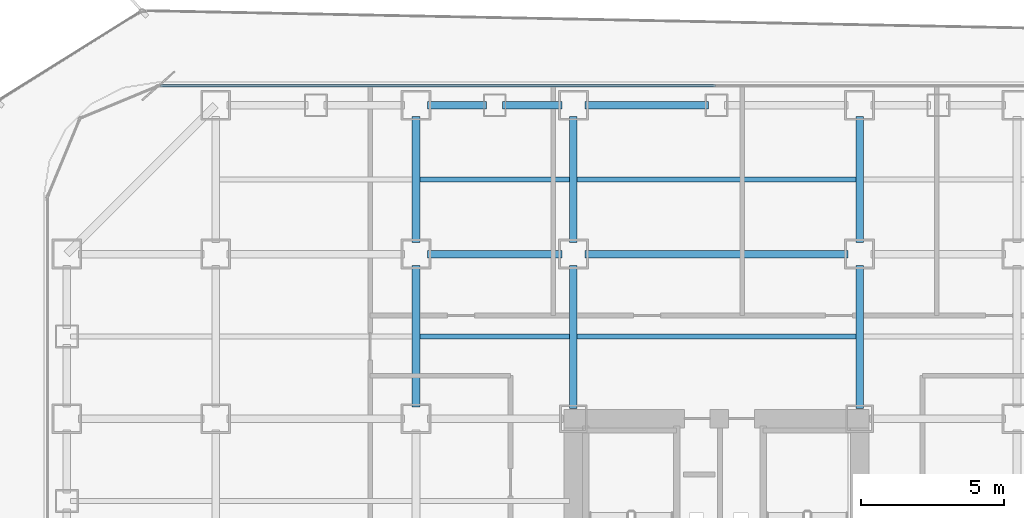
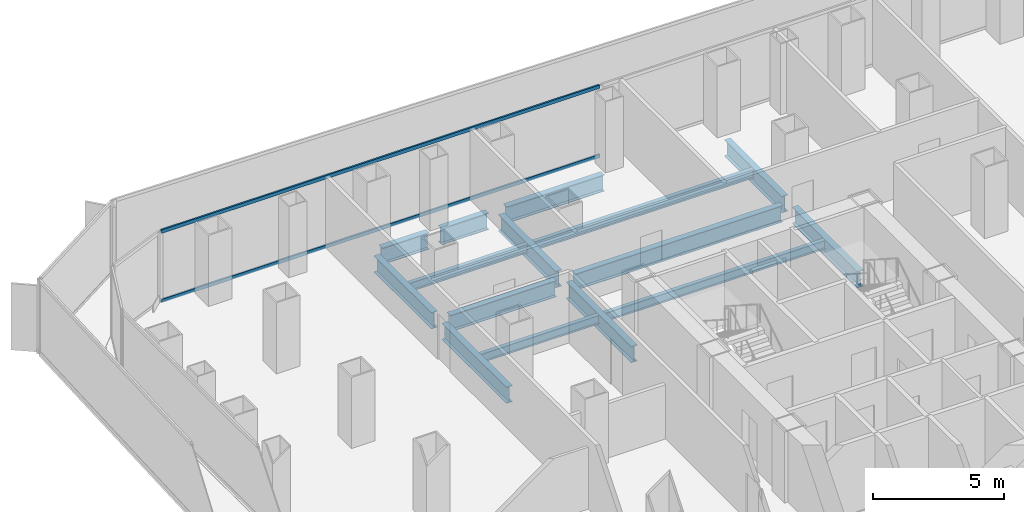
# One storey, part 12 of 21: 15 beams, 2 members, 1 element without a shape of its own.
"""IFC4 building model written with IfcOpenShell, lengths in metres."""

import ifcopenshell
import ifcopenshell.guid

model = None  # the IFC model being written
_history = None  # IfcOwnerHistory: only IFC2X3 demands one
_inside = {}  # id of a spatial element -> (the spatial element, [elements in it])
_under = {}  # id of a project, library or spatial element -> (it, [spatial elements below it])
_declared = {}  # id of a project -> (the project, [libraries it declares])
_typed = {}  # id of a type object -> (the type object, [elements of that type])
_made_of = {}  # id of a material, layer set ... -> (it, [elements and type objects made of it])


def new_model(schema):
    """Start an empty IFC model of exactly this schema.

    Asked for "IFC4X3", IfcOpenShell would pick the latest addendum, in which some entities
    have other attributes; the version numbers below select the first issue.
    IFC2X3 requires an IfcOwnerHistory on every rooted entity: one is made here for all.
    """
    global model, _history
    if schema == "IFC4X3":
        model = ifcopenshell.file(schema_version=(4, 3, 0, 0))
    else:
        model = ifcopenshell.file(schema=schema)
    _inside.clear()
    _under.clear()
    _declared.clear()
    _typed.clear()
    _made_of.clear()
    _history = None
    if model.schema == "IFC2X3":
        org = make("IfcOrganization", Name="unknown")
        user = make(
            "IfcPersonAndOrganization",
            ThePerson=make("IfcPerson", FamilyName="unknown"),
            TheOrganization=org,
        )
        app = make(
            "IfcApplication",
            ApplicationDeveloper=org,
            Version="unknown",
            ApplicationFullName="unknown",
            ApplicationIdentifier="unknown",
        )
        _history = make(
            "IfcOwnerHistory",
            OwningUser=user,
            OwningApplication=app,
            ChangeAction="ADDED",
            CreationDate=0,
        )
    return model


def make(cls, **values):
    """One entity of the class cls with the attributes given. An attribute that is None is left unset."""
    return model.create_entity(
        cls, **{name: value for name, value in values.items() if value is not None}
    )


def rooted(cls, **values):
    """An entity with a GlobalId (a new one), such as an element, a storey or a relation."""
    return make(cls, GlobalId=ifcopenshell.guid.new(), OwnerHistory=_history, **values)


def si_unit(unit_type, name, prefix=None):
    """IfcSIUnit, for example si_unit("LENGTHUNIT", "METRE", prefix="MILLI")."""
    return make("IfcSIUnit", UnitType=unit_type, Prefix=prefix, Name=name)


def assignment(units):
    """IfcUnitAssignment: the units of a project."""
    return None if units is None else make("IfcUnitAssignment", Units=units)


def point(xyz):
    """IfcCartesianPoint."""
    return None if xyz is None else make("IfcCartesianPoint", Coordinates=xyz)


def direction(xyz):
    """IfcDirection."""
    return None if xyz is None else make("IfcDirection", DirectionRatios=xyz)


def frame(location, z_axis=None, x_axis=None):
    """IfcAxis2Placement3D, a coordinate frame: its origin and axes. An axis left out is left unset."""
    return make(
        "IfcAxis2Placement3D",
        Location=point(location),
        Axis=direction(z_axis),
        RefDirection=direction(x_axis),
    )


def frame_2d(location, x_axis=None):
    """IfcAxis2Placement2D, a coordinate frame in the plane: its origin and x axis."""
    return make(
        "IfcAxis2Placement2D", Location=point(location), RefDirection=direction(x_axis)
    )


def origin():
    """The frame at (0, 0, 0) with its axes left unset."""
    return frame((0.0, 0.0, 0.0))


def origin_2d():
    """The frame at (0, 0) in the plane with its x axis left unset."""
    return frame_2d((0.0, 0.0))


def place(relative_to, where):
    """IfcLocalPlacement: puts the frame where relative to a parent placement (None: the world)."""
    return make(
        "IfcLocalPlacement", PlacementRelTo=relative_to, RelativePlacement=where
    )


def context(
    kind, dimensions, precision=None, world=None, true_north=None, identifier=None
):
    """IfcGeometricRepresentationContext, for example the 3D "Model" context."""
    return make(
        "IfcGeometricRepresentationContext",
        ContextIdentifier=identifier,
        ContextType=kind,
        CoordinateSpaceDimension=dimensions,
        Precision=precision,
        WorldCoordinateSystem=world,
        TrueNorth=true_north,
    )


def subcontext(parent, identifier, kind, view, scale=None):
    """IfcGeometricRepresentationSubContext, for example "Body" below "Model"."""
    return make(
        "IfcGeometricRepresentationSubContext",
        ContextIdentifier=identifier,
        ContextType=kind,
        ParentContext=parent,
        TargetScale=scale,
        TargetView=view,
    )


def project(units=None, contexts=None):
    """IfcProject with its units and contexts."""
    return rooted(
        "IfcProject",
        Name="project",
        RepresentationContexts=contexts,
        UnitsInContext=assignment(units),
    )


def spatial(cls, under=None, at=None, **own):
    """A site, building, storey or space (cls), placed at a placement, below another one or the project."""
    s = rooted(cls, ObjectPlacement=at, **own)
    if under is not None:
        _under.setdefault(under.id(), (under, []))[1].append(s)
    return s


def profile(cls, at=None, kind="AREA", **sizes):
    """A parametric profile (cls). Its sizes go by their IFC names, for example OverallWidth=200.0."""
    return make(cls, ProfileType=kind, Position=at, **sizes)


def hollow_rectangle(**sizes):
    """IfcRectangleHollowProfileDef."""
    return profile("IfcRectangleHollowProfileDef", **sizes)


def i_section(**sizes):
    """IfcIShapeProfileDef."""
    return profile("IfcIShapeProfileDef", **sizes)


def extrude(swept, where, along, depth):
    """IfcExtrudedAreaSolid: the profile swept, set in the frame where, extruded along a direction by depth."""
    return make(
        "IfcExtrudedAreaSolid",
        SweptArea=swept,
        Position=where,
        ExtrudedDirection=direction(along),
        Depth=depth,
    )


def shape(context_of_items, identifier, shape_type, items):
    """IfcShapeRepresentation: the items that make up one representation, for example the "Body"."""
    return make(
        "IfcShapeRepresentation",
        ContextOfItems=context_of_items,
        RepresentationIdentifier=identifier,
        RepresentationType=shape_type,
        Items=items,
    )


def source(mapping_origin, context_of_items, identifier, shape_type, items):
    """IfcRepresentationMap: a shape defined once, which mapped items show again and again."""
    return make(
        "IfcRepresentationMap",
        MappingOrigin=mapping_origin,
        MappedRepresentation=shape(context_of_items, identifier, shape_type, items),
    )


def transform(
    local_origin,
    x_axis=None,
    y_axis=None,
    z_axis=None,
    scale=None,
    scale2=None,
    scale3=None,
    uniform=True,
):
    """IfcCartesianTransformationOperator3D, or its non-uniform kind. x_axis, y_axis, z_axis: its Axis1, 2, 3."""
    if uniform:
        return make(
            "IfcCartesianTransformationOperator3D",
            Axis1=direction(x_axis),
            Axis2=direction(y_axis),
            LocalOrigin=point(local_origin),
            Scale=scale,
            Axis3=direction(z_axis),
        )
    return make(
        "IfcCartesianTransformationOperator3DnonUniform",
        Axis1=direction(x_axis),
        Axis2=direction(y_axis),
        LocalOrigin=point(local_origin),
        Scale=scale,
        Axis3=direction(z_axis),
        Scale2=scale2,
        Scale3=scale3,
    )


def mapped(mapping_source, mapping_target):
    """IfcMappedItem: shows the shape of a source again, moved by a transform."""
    return make(
        "IfcMappedItem", MappingSource=mapping_source, MappingTarget=mapping_target
    )


def material(Name=None, Category=None):
    """IfcMaterial."""
    return make("IfcMaterial", Name=Name, Category=Category)


def layer(
    of_material, thickness, ventilated=None, Name=None, Category=None, Priority=None
):
    """IfcMaterialLayer: one layer of a wall or slab, of a material (None: an air gap)."""
    return make(
        "IfcMaterialLayer",
        Material=of_material,
        LayerThickness=thickness,
        IsVentilated=ventilated,
        Name=Name,
        Category=Category,
        Priority=Priority,
    )


def layer_set(layers, Name=None):
    """IfcMaterialLayerSet."""
    return make("IfcMaterialLayerSet", MaterialLayers=layers, LayerSetName=Name)


def material_profile(
    of_material, cross_section, Name=None, Category=None, Priority=None
):
    """IfcMaterialProfile: a cross section and its material."""
    return make(
        "IfcMaterialProfile",
        Name=Name,
        Material=of_material,
        Profile=cross_section,
        Priority=Priority,
        Category=Category,
    )


def profile_set(profiles, Name=None, composite=None):
    """IfcMaterialProfileSet."""
    return make(
        "IfcMaterialProfileSet",
        Name=Name,
        MaterialProfiles=profiles,
        CompositeProfile=composite,
    )


def made_of(thing, what):
    """Note that an element or type object is made of a material, layer set ...; save() writes the relation."""
    if what is not None:
        _made_of.setdefault(what.id(), (what, []))[1].append(thing)
    return thing


def type_object(cls, material=None, **own):
    """A type object (cls), such as IfcWallType, which elements share."""
    return made_of(rooted(cls, **own), material)


def element(
    cls,
    number,
    at=None,
    inside=None,
    cuts=None,
    type_object=None,
    material=None,
    context=None,
    identifier="Body",
    shape_type=None,
    held_by="IfcProductDefinitionShape",
    body=None,
    shapes=None,
    **own,
):
    """One element of the class cls, such as IfcWall. Its Tag is "e" and its number.

    at: its placement. inside: the storey or other place that contains it. cuts: it is an
    opening in that element (IfcRelVoidsElement). A single representation is given by context,
    identifier, shape_type and body (its items); several are given by shapes. held_by: the class
    of the entity that holds the representations. save() writes the other relations.
    """
    e = rooted(cls, Tag="e%d" % number, ObjectPlacement=at, **own)
    if body is not None:
        shapes = [shape(context, identifier, shape_type, body)]
    if shapes is not None:
        e.Representation = make(held_by, Representations=shapes)
    if inside is not None:
        _inside.setdefault(inside.id(), (inside, []))[1].append(e)
    if cuts is not None:
        rooted(
            "IfcRelVoidsElement", RelatingBuildingElement=cuts, RelatedOpeningElement=e
        )
    if type_object is not None:
        _typed.setdefault(type_object.id(), (type_object, []))[1].append(e)
    return made_of(e, material)


def aggregate(whole, parts):
    """IfcRelAggregates: a whole, such as a stair, and the parts it consists of."""
    return rooted("IfcRelAggregates", RelatingObject=whole, RelatedObjects=parts)


def save(model, path):
    """Write the relations noted so far, then the file.

    IfcRelAggregates (storeys below a building ...), IfcRelContainedInSpatialStructure (elements
    in a storey), IfcRelDefinesByType, IfcRelAssociatesMaterial and IfcRelDeclares: one each for
    every whole, place, type object, material and project.
    """
    for whole, parts in _under.values():
        aggregate(whole, parts)
    for where, things in _inside.values():
        rooted(
            "IfcRelContainedInSpatialStructure",
            RelatedElements=things,
            RelatingStructure=where,
        )
    for kind, things in _typed.values():
        rooted("IfcRelDefinesByType", RelatedObjects=things, RelatingType=kind)
    for what, things in _made_of.values():
        rooted("IfcRelAssociatesMaterial", RelatedObjects=things, RelatingMaterial=what)
    for by, libraries in _declared.values():
        rooted("IfcRelDeclares", RelatingContext=by, RelatedDefinitions=libraries)
    model.write(path)


model = new_model("IFC4")

# Units and contexts
model_context = context("Model", 3, precision=1e-05, world=origin(), true_north=direction((0.0, 1.0)))
body_context = subcontext(model_context, "Body", "Model", "MODEL_VIEW")
ifc_project = project(units=[si_unit("LENGTHUNIT", "METRE"), si_unit("AREAUNIT", "SQUARE_METRE"), si_unit("VOLUMEUNIT", "CUBIC_METRE"), si_unit("PLANEANGLEUNIT", "RADIAN"), si_unit("MASSUNIT", "GRAM", prefix="KILO")], contexts=[model_context])

# Site, building, storey
site_placement = place(None, origin())
site = spatial("IfcSite", under=ifc_project, at=site_placement, CompositionType="ELEMENT")
building_placement = place(site_placement, origin())
building = spatial("IfcBuilding", under=site, at=building_placement, Name="Kolveth Station Tower", CompositionType="ELEMENT")
storey_placement = place(building_placement, frame((0.0, 0.0, 33.300048828125)))
storey = spatial("IfcBuildingStorey", under=building, at=storey_placement, Name="L08", CompositionType="ELEMENT", Elevation=33.300048828125)

# Beams
ifc_material_1 = material(Name="Steel S355", Category="steel")
ifc_material_profile_1 = material_profile(ifc_material_1, i_section(OverallWidth=0.26904296875, OverallDepth=0.77490234375, WebThickness=0.01708984375, FlangeThickness=0.0283203125, at=origin_2d()), Name="W760x220")
ifc_profile_set_1 = profile_set([ifc_material_profile_1], Name="Steel S355")
beam_type_1 = type_object("IfcBeamType", Name="Beam_SP1", PredefinedType="SPANDREL", material=ifc_profile_set_1)
shared_shape_1 = source(origin(), body_context, "Body", "SweptSolid", [
    extrude(i_section(OverallWidth=0.26904296875, OverallDepth=0.77490234375, WebThickness=0.01708984375, FlangeThickness=0.0283203125, at=origin_2d()), origin(), (0.0, 0.0, 1.0), 2.070068359375),
])
for number, where, z_axis, x_axis, name in (
    (1, (13.39990234375, 39.699951171875, -0.66748046875), (1.0, 0.0, 0.0), (0.0, 1.0, 0.0), "L08 Perimeter Spandrel BM-L08-PN-3"),
    (2, (16.030029296875, 39.699951171875, -0.66748046875), (1.0, 0.0, 0.0), (0.0, 1.0, 0.0), "L08 Perimeter Spandrel BM-L08-PN-4"),
):
    element("IfcBeam", number, at=place(storey_placement, frame(where, z_axis=z_axis, x_axis=x_axis)), inside=storey, type_object=beam_type_1, Name=name, PredefinedType="SPANDREL", context=body_context, shape_type="MappedRepresentation", body=[
        mapped(shared_shape_1, transform((0.0, 0.0, 0.0), x_axis=(1.0, 0.0, 0.0), y_axis=(0.0, 1.0, 0.0), z_axis=(0.0, 0.0, 1.0), scale=1.0)),
    ])
shared_shape_2 = source(origin(), body_context, "Body", "SweptSolid", [
    extrude(i_section(OverallWidth=0.26904296875, OverallDepth=0.77490234375, WebThickness=0.01708984375, FlangeThickness=0.0283203125, at=origin_2d()), origin(), (0.0, 0.0, 1.0), 4.320068359375),
])
beam_1_placement = place(storey_placement, frame((18.89990234375, 39.699951171875, -0.66748046875), z_axis=(1.0, 0.0, 0.0), x_axis=(0.0, 1.0, 0.0)))
element("IfcBeam", 3, at=beam_1_placement, inside=storey, type_object=beam_type_1, Name="L08 Perimeter Spandrel BM-L08-PN-5", PredefinedType="SPANDREL", context=body_context, shape_type="MappedRepresentation", body=[
    mapped(shared_shape_2, transform((0.0, 0.0, 0.0), x_axis=(1.0, 0.0, 0.0), y_axis=(0.0, 1.0, 0.0), z_axis=(0.0, 0.0, 1.0), scale=1.0)),
])
ifc_material_profile_2 = material_profile(ifc_material_1, i_section(OverallWidth=0.26708984375, OverallDepth=0.76611328125, WebThickness=0.014892578125, FlangeThickness=0.023681640625, at=origin_2d()), Name="W760x185")
ifc_profile_set_2 = profile_set([ifc_material_profile_2], Name="Steel S355")
beam_type_2 = type_object("IfcBeamType", Name="Beam_B3", PredefinedType="BEAM", material=ifc_profile_set_2)
shared_shape_3 = source(origin(), body_context, "Body", "SweptSolid", [
    extrude(i_section(OverallWidth=0.26708984375, OverallDepth=0.76611328125, WebThickness=0.014892578125, FlangeThickness=0.023681640625, at=origin_2d()), origin(), (0.0, 0.0, 1.0), 4.400146484375),
])
for number, where, z_axis, x_axis, name in (
    (4, (13.0, 34.89990234375, -0.6630859375), (0.0, 1.0, 0.0), (-1.0, 0.0, 0.0), "L08 Primary Girder BM-L08-GX130-7"),
    (5, (18.5, 34.89990234375, -0.6630859375), (0.0, 1.0, 0.0), (-1.0, 0.0, 0.0), "L08 Primary Girder BM-L08-GX185-7"),
    (6, (28.5, 34.89990234375, -0.6630859375), (0.0, 1.0, 0.0), (-1.0, 0.0, 0.0), "L08 Primary Girder BM-L08-GX285-7"),
):
    element("IfcBeam", number, at=place(storey_placement, frame(where, z_axis=z_axis, x_axis=x_axis)), inside=storey, type_object=beam_type_2, Name=name, PredefinedType="BEAM", context=body_context, shape_type="MappedRepresentation", body=[
        mapped(shared_shape_3, transform((0.0, 0.0, 0.0), x_axis=(1.0, 0.0, 0.0), y_axis=(0.0, 1.0, 0.0), z_axis=(0.0, 0.0, 1.0), scale=1.0)),
    ])
shared_shape_4 = source(origin(), body_context, "Body", "SweptSolid", [
    extrude(i_section(OverallWidth=0.26708984375, OverallDepth=0.76611328125, WebThickness=0.014892578125, FlangeThickness=0.023681640625, at=origin_2d()), origin(), (0.0, 0.0, 1.0), 4.7001953125),
])
beam_2_placement = place(storey_placement, frame((13.39990234375, 34.5, -0.6630859375), z_axis=(1.0, 0.0, 0.0), x_axis=(0.0, 1.0, 0.0)))
element("IfcBeam", 7, at=beam_2_placement, inside=storey, type_object=beam_type_2, Name="L08 Primary Girder BM-L08-GY345-3", PredefinedType="BEAM", context=body_context, shape_type="MappedRepresentation", body=[
    mapped(shared_shape_4, transform((0.0, 0.0, 0.0), x_axis=(1.0, 0.0, 0.0), y_axis=(0.0, 1.0, 0.0), z_axis=(0.0, 0.0, 1.0), scale=1.0)),
])
shared_shape_5 = source(origin(), body_context, "Body", "SweptSolid", [
    extrude(i_section(OverallWidth=0.26708984375, OverallDepth=0.76611328125, WebThickness=0.014892578125, FlangeThickness=0.023681640625, at=origin_2d()), origin(), (0.0, 0.0, 1.0), 9.2001953125),
])
beam_3_placement = place(storey_placement, frame((18.89990234375, 34.5, -0.6630859375), z_axis=(1.0, 0.0, 0.0), x_axis=(0.0, 1.0, 0.0)))
element("IfcBeam", 8, at=beam_3_placement, inside=storey, type_object=beam_type_2, Name="L08 Primary Girder BM-L08-GY345-4", PredefinedType="BEAM", context=body_context, shape_type="MappedRepresentation", body=[
    mapped(shared_shape_5, transform((0.0, 0.0, 0.0), x_axis=(1.0, 0.0, 0.0), y_axis=(0.0, 1.0, 0.0), z_axis=(0.0, 0.0, 1.0), scale=1.0)),
])
shared_shape_6 = source(origin(), body_context, "Body", "SweptSolid", [
    extrude(i_section(OverallWidth=0.26708984375, OverallDepth=0.76611328125, WebThickness=0.014892578125, FlangeThickness=0.023681640625, at=origin_2d()), origin(), (0.0, 0.0, 1.0), 4.9501953125),
])
beam_4_placement = place(storey_placement, frame((13.0, 29.14990234375, -0.6630859375), z_axis=(0.0, 1.0, 0.0), x_axis=(-1.0, 0.0, 0.0)))
element("IfcBeam", 9, at=beam_4_placement, inside=storey, type_object=beam_type_2, Name="L08 Primary Girder BM-L08-GX130-6", PredefinedType="BEAM", context=body_context, shape_type="MappedRepresentation", body=[
    mapped(shared_shape_6, transform((0.0, 0.0, 0.0), x_axis=(1.0, 0.0, 0.0), y_axis=(0.0, 1.0, 0.0), z_axis=(0.0, 0.0, 1.0), scale=1.0)),
])
shared_shape_7 = source(origin(), body_context, "Body", "SweptSolid", [
    extrude(i_section(OverallWidth=0.26708984375, OverallDepth=0.76611328125, WebThickness=0.014892578125, FlangeThickness=0.023681640625, at=origin_2d()), origin(), (0.0, 0.0, 1.0), 4.989990234375),
])
for number, where, z_axis, x_axis, name in (
    (10, (18.5, 29.110107421875, -0.6630859375), (0.0, 1.0, 0.0), (-1.0, 0.0, 0.0), "L08 Primary Girder BM-L08-GX185-6"),
    (11, (28.5, 29.110107421875, -0.6630859375), (0.0, 1.0, 0.0), (-1.0, 0.0, 0.0), "L08 Primary Girder BM-L08-GX285-6"),
):
    element("IfcBeam", number, at=place(storey_placement, frame(where, z_axis=z_axis, x_axis=x_axis)), inside=storey, type_object=beam_type_2, Name=name, PredefinedType="BEAM", context=body_context, shape_type="MappedRepresentation", body=[
        mapped(shared_shape_7, transform((0.0, 0.0, 0.0), x_axis=(1.0, 0.0, 0.0), y_axis=(0.0, 1.0, 0.0), z_axis=(0.0, 0.0, 1.0), scale=1.0)),
    ])
ifc_material_profile_3 = material_profile(ifc_material_1, i_section(OverallWidth=0.177978515625, OverallDepth=0.406982421875, WebThickness=0.0078125, FlangeThickness=0.0126953125, at=origin_2d()), Name="W410x60")
ifc_profile_set_3 = profile_set([ifc_material_profile_3], Name="Steel S355")
beam_type_3 = type_object("IfcBeamType", Name="Beam_J1", PredefinedType="JOIST", material=ifc_profile_set_3)
shared_shape_8 = source(origin(), body_context, "Body", "SweptSolid", [
    extrude(i_section(OverallWidth=0.177978515625, OverallDepth=0.406982421875, WebThickness=0.0078125, FlangeThickness=0.0126953125, at=origin_2d()), origin(), (0.0, 0.0, 1.0), 5.23681640625),
])
for number, where, z_axis, x_axis, name in (
    (12, (13.131591796875, 31.625, -0.483642578125), (1.0, 0.0, 0.0), (0.0, 1.0, 0.0), "L08 Secondary Joist JST-L08-3-6"),
    (13, (13.131591796875, 37.10009765625, -0.483642578125), (1.0, 0.0, 0.0), (0.0, 1.0, 0.0), "L08 Secondary Joist JST-L08-3-7"),
):
    element("IfcBeam", number, at=place(storey_placement, frame(where, z_axis=z_axis, x_axis=x_axis)), inside=storey, type_object=beam_type_3, Name=name, PredefinedType="JOIST", context=body_context, shape_type="MappedRepresentation", body=[
        mapped(shared_shape_8, transform((0.0, 0.0, 0.0), x_axis=(1.0, 0.0, 0.0), y_axis=(0.0, 1.0, 0.0), z_axis=(0.0, 0.0, 1.0), scale=1.0)),
    ])
shared_shape_9 = source(origin(), body_context, "Body", "SweptSolid", [
    extrude(i_section(OverallWidth=0.177978515625, OverallDepth=0.406982421875, WebThickness=0.0078125, FlangeThickness=0.0126953125, at=origin_2d()), origin(), (0.0, 0.0, 1.0), 9.73681640625),
])
for number, where, z_axis, x_axis, name in (
    (14, (18.631591796875, 31.625, -0.483642578125), (1.0, 0.0, 0.0), (0.0, 1.0, 0.0), "L08 Secondary Joist JST-L08-4-6"),
    (15, (18.631591796875, 37.10009765625, -0.483642578125), (1.0, 0.0, 0.0), (0.0, 1.0, 0.0), "L08 Secondary Joist JST-L08-4-7"),
):
    element("IfcBeam", number, at=place(storey_placement, frame(where, z_axis=z_axis, x_axis=x_axis)), inside=storey, type_object=beam_type_3, Name=name, PredefinedType="JOIST", context=body_context, shape_type="MappedRepresentation", body=[
        mapped(shared_shape_9, transform((0.0, 0.0, 0.0), x_axis=(1.0, 0.0, 0.0), y_axis=(0.0, 1.0, 0.0), z_axis=(0.0, 0.0, 1.0), scale=1.0)),
    ])

# Curtain wall, members
ifc_material_2 = material(Name="Aluminium 6063-T6 and low-E dark glass", Category="aluminium")
ifc_layer = layer(ifc_material_2, 0.179931640625)
ifc_layer_set = layer_set([ifc_layer], Name="Aluminium 6063-T6 and low-E dark glass")
curtain_wall_type = type_object("IfcCurtainWallType", Name="CurtainWall_CW-Z1", PredefinedType="NOTDEFINED", material=ifc_layer_set)
curtain_wall_placement = place(storey_placement, origin())
curtain_wall = element("IfcCurtainWall", 16, at=curtain_wall_placement, inside=storey, type_object=curtain_wall_type, Name="L08 Inner Thermal Curtain Wall 6", PredefinedType="NOTDEFINED")
ifc_material_3 = material(Name="Black anodized aluminium 6063-T6", Category="aluminium")
ifc_material_profile_4 = material_profile(ifc_material_3, hollow_rectangle(XDim=0.074951171875, YDim=0.159912109375, WallThickness=0.0048828125, at=origin_2d()), Name="ALU-75x160x5")
ifc_profile_set_4 = profile_set([ifc_material_profile_4], Name="Black anodized aluminium 6063-T6")
member_type = type_object("IfcMemberType", Name="Transom_TR1", PredefinedType="USERDEFINED", material=ifc_profile_set_4)
shared_shape_10 = source(origin(), body_context, "Body", "SweptSolid", [
    extrude(hollow_rectangle(XDim=0.074951171875, YDim=0.159912109375, WallThickness=0.0048828125, at=origin_2d()), origin(), (0.0, 0.0, 1.0), 19.387451171875),
])
member_1_placement = place(storey_placement, frame((23.46240234375, 40.3798828125, 0.037353515625), z_axis=(-1.0, 0.0, 0.0), x_axis=(0.0, -1.0, 0.0)))
member_1 = element("IfcMember", 17, at=member_1_placement, type_object=member_type, Name="CW-Z1 transom 2.1", ObjectType="TRANSOM", PredefinedType="USERDEFINED", context=body_context, shape_type="MappedRepresentation", body=[
    mapped(shared_shape_10, transform((0.0, 0.0, 0.0), x_axis=(1.0, 0.0, 0.0), y_axis=(0.0, 1.0, 0.0), z_axis=(0.0, 0.0, 1.0), scale=1.0)),
])
member_2_placement = place(storey_placement, frame((23.46240234375, 40.3798828125, 3.282470703125), z_axis=(-1.0, 0.0, 0.0), x_axis=(0.0, -1.0, 0.0)))
member_2 = element("IfcMember", 18, at=member_2_placement, type_object=member_type, Name="CW-Z1 transom 2.2", ObjectType="TRANSOM", PredefinedType="USERDEFINED", context=body_context, shape_type="MappedRepresentation", body=[
    mapped(shared_shape_10, transform((0.0, 0.0, 0.0), x_axis=(1.0, 0.0, 0.0), y_axis=(0.0, 1.0, 0.0), z_axis=(0.0, 0.0, 1.0), scale=1.0)),
])
aggregate(curtain_wall, [member_1, member_2])

save(model, "model.ifc")
